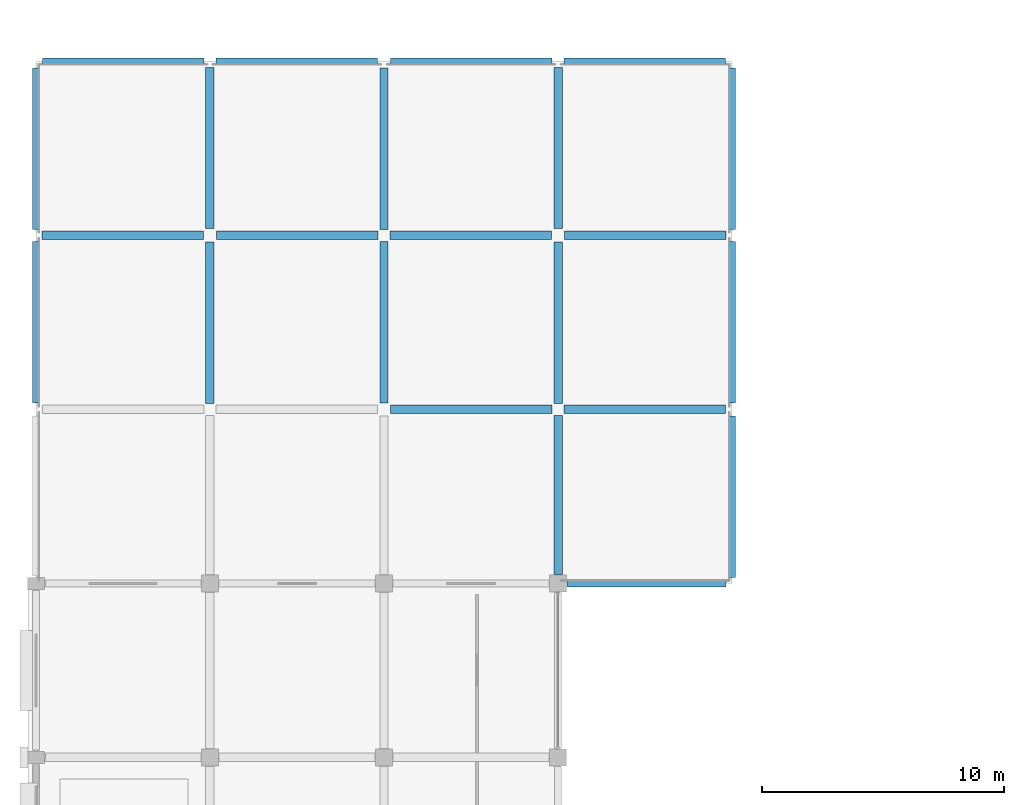
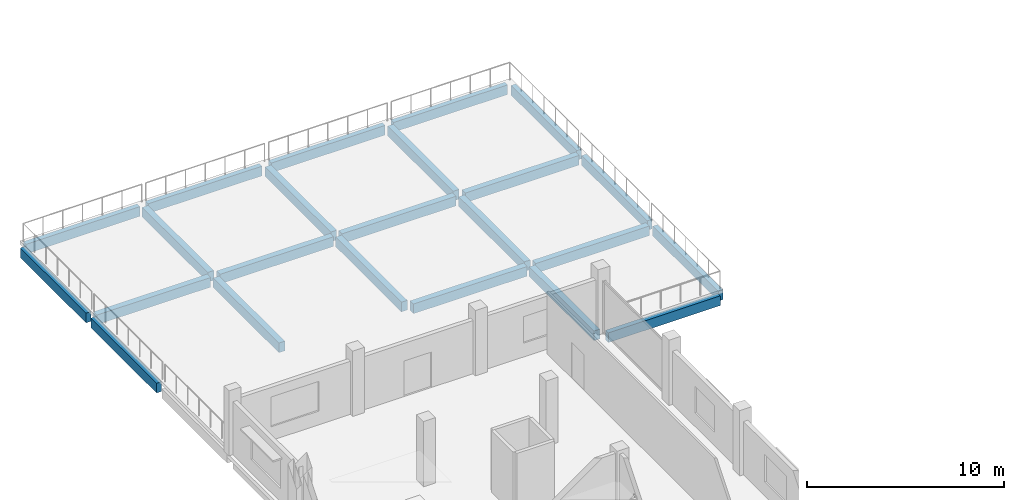
# One storey, part 20 of 77: 23 beams.
"""IFC4 building model written with IfcOpenShell, lengths in metres."""

from ifc_helpers import new_model, si_unit, direction, frame, origin, origin_2d, place, context, subcontext, project, spatial, rectangle, extrude, material, material_profile, profile_set, type_object, element, save


model = new_model("IFC4")

# Units and contexts
model_context = context("Model", 3, precision=1e-05, world=origin(), true_north=direction((0.0, 1.0)))
body_context = subcontext(model_context, "Body", "Model", "MODEL_VIEW")
ifc_project = project(units=[si_unit("LENGTHUNIT", "METRE"), si_unit("AREAUNIT", "SQUARE_METRE"), si_unit("VOLUMEUNIT", "CUBIC_METRE"), si_unit("PLANEANGLEUNIT", "RADIAN"), si_unit("MASSUNIT", "GRAM", prefix="KILO")], contexts=[model_context])

# Site, building, storey
site_placement = place(None, origin())
site = spatial("IfcSite", under=ifc_project, at=site_placement, CompositionType="ELEMENT")
building_placement = place(site_placement, origin())
building = spatial("IfcBuilding", under=site, at=building_placement, Name="Kangsadwip Square Police Headquarters", CompositionType="ELEMENT")
storey_placement = place(building_placement, frame((0.0, 0.0, 17.550048828125)))
storey = spatial("IfcBuildingStorey", under=building, at=storey_placement, Name="L04", CompositionType="ELEMENT", Elevation=17.550048828125)

# Beams
ifc_material_1 = material(Name="Concrete M35 (35 MPa)", Category="concrete")
ifc_material_profile_1 = material_profile(ifc_material_1, rectangle(XDim=0.35009765625, YDim=0.60009765625, at=origin_2d()), Name="RC BM 600X350")
ifc_profile_set_1 = profile_set([ifc_material_profile_1], Name="Concrete M35 (35 MPa)")
beam_type_1 = type_object("IfcBeamType", Name="RcBeam600x350", PredefinedType="BEAM", material=ifc_profile_set_1)
beam_1_placement = place(storey_placement, frame((14.675048828125, 100.800048828125, -0.5400390625), z_axis=(1.0, 0.0, 0.0), x_axis=(0.0, 1.0, 0.0)))
element("IfcBeam", 1, at=beam_1_placement, inside=storey, type_object=beam_type_1, Name="Beam BM-L04-X-02-14", PredefinedType="BEAM", context=body_context, shape_type="SweptSolid", body=[
    extrude(rectangle(XDim=0.35009765625, YDim=0.60009765625, at=origin_2d()), origin(), (0.0, 0.0, 1.0), 6.675048828125),
])
beam_2_placement = place(storey_placement, frame((21.85009765625, 100.800048828125, -0.5400390625), z_axis=(1.0, 0.0, 0.0), x_axis=(0.0, 1.0, 0.0)))
element("IfcBeam", 2, at=beam_2_placement, inside=storey, type_object=beam_type_1, Name="Beam BM-L04-X-03-14", PredefinedType="BEAM", context=body_context, shape_type="SweptSolid", body=[
    extrude(rectangle(XDim=0.35009765625, YDim=0.60009765625, at=origin_2d()), origin(), (0.0, 0.0, 1.0), 6.6748046875),
])
beam_3_placement = place(storey_placement, frame((0.25, 108.0, -0.5400390625), z_axis=(1.0, 0.0, 0.0), x_axis=(0.0, 1.0, 0.0)))
element("IfcBeam", 3, at=beam_3_placement, inside=storey, type_object=beam_type_1, Name="Beam BM-L04-X-00-15", PredefinedType="BEAM", context=body_context, shape_type="SweptSolid", body=[
    extrude(rectangle(XDim=0.35009765625, YDim=0.60009765625, at=origin_2d()), origin(), (0.0, 0.0, 1.0), 6.675048828125),
])
beam_4_placement = place(storey_placement, frame((7.47509765625, 108.0, -0.5400390625), z_axis=(1.0, 0.0, 0.0), x_axis=(0.0, 1.0, 0.0)))
element("IfcBeam", 4, at=beam_4_placement, inside=storey, type_object=beam_type_1, Name="Beam BM-L04-X-01-15", PredefinedType="BEAM", context=body_context, shape_type="SweptSolid", body=[
    extrude(rectangle(XDim=0.35009765625, YDim=0.60009765625, at=origin_2d()), origin(), (0.0, 0.0, 1.0), 6.6748046875),
])
for number, where, z_axis, x_axis, name in (
    (5, (14.64990234375, 108.0, -0.5400390625), (1.0, 0.0, 0.0), (0.0, 1.0, 0.0), "Beam BM-L04-X-02-15"),
    (6, (21.875, 108.0, -0.5400390625), (1.0, 0.0, 0.0), (0.0, 1.0, 0.0), "Beam BM-L04-X-03-15"),
    (7, (7.199951171875, 101.050048828125, -0.5400390625), (0.0, 1.0, 0.0), (-1.0, 0.0, 0.0), "Beam BM-L04-Y-01-14"),
    (8, (7.199951171875, 108.27490234375, -0.5400390625), (0.0, 1.0, 0.0), (-1.0, 0.0, 0.0), "Beam BM-L04-Y-01-15"),
    (9, (14.39990234375, 101.074951171875, -0.5400390625), (0.0, 1.0, 0.0), (-1.0, 0.0, 0.0), "Beam BM-L04-Y-02-14"),
    (10, (14.39990234375, 108.25, -0.5400390625), (0.0, 1.0, 0.0), (-1.0, 0.0, 0.0), "Beam BM-L04-Y-02-15"),
):
    element("IfcBeam", number, at=place(storey_placement, frame(where, z_axis=z_axis, x_axis=x_axis)), inside=storey, type_object=beam_type_1, Name=name, PredefinedType="BEAM", context=body_context, shape_type="SweptSolid", body=[
        extrude(rectangle(XDim=0.35009765625, YDim=0.60009765625, at=origin_2d()), origin(), (0.0, 0.0, 1.0), 6.675048828125),
    ])
beam_5_placement = place(storey_placement, frame((21.60009765625, 93.97509765625, -0.5400390625), z_axis=(0.0, 1.0, 0.0), x_axis=(-1.0, 0.0, 0.0)))
element("IfcBeam", 11, at=beam_5_placement, inside=storey, type_object=beam_type_1, Name="Beam BM-L04-Y-03-13", PredefinedType="BEAM", context=body_context, shape_type="SweptSolid", body=[
    extrude(rectangle(XDim=0.35009765625, YDim=0.60009765625, at=origin_2d()), origin(), (0.0, 0.0, 1.0), 6.574951171875),
])
for number, where, z_axis, x_axis, name in (
    (12, (21.60009765625, 101.050048828125, -0.5400390625), (0.0, 1.0, 0.0), (-1.0, 0.0, 0.0), "Beam BM-L04-Y-03-14"),
    (13, (21.60009765625, 108.27490234375, -0.5400390625), (0.0, 1.0, 0.0), (-1.0, 0.0, 0.0), "Beam BM-L04-Y-03-15"),
):
    element("IfcBeam", number, at=place(storey_placement, frame(where, z_axis=z_axis, x_axis=x_axis)), inside=storey, type_object=beam_type_1, Name=name, PredefinedType="BEAM", context=body_context, shape_type="SweptSolid", body=[
        extrude(rectangle(XDim=0.35009765625, YDim=0.60009765625, at=origin_2d()), origin(), (0.0, 0.0, 1.0), 6.675048828125),
    ])
ifc_material_2 = material(Name="Concrete M40 (40 MPa)", Category="concrete")
ifc_material_profile_2 = material_profile(ifc_material_2, rectangle(XDim=0.280029296875, YDim=0.60009765625, at=origin_2d()), Name="RC SPN 600X280")
ifc_profile_set_2 = profile_set([ifc_material_profile_2], Name="Concrete M40 (40 MPa)")
beam_type_2 = type_object("IfcBeamType", Name="RcSpandrel600x280", PredefinedType="SPANDREL", material=ifc_profile_set_2)
beam_6_placement = place(storey_placement, frame((21.97509765625, 93.60009765625, -0.5400390625), z_axis=(1.0, 0.0, 0.0), x_axis=(0.0, 1.0, 0.0)))
element("IfcBeam", 14, at=beam_6_placement, inside=storey, type_object=beam_type_2, Name="Beam BM-L04-X-03-13", PredefinedType="SPANDREL", context=body_context, shape_type="SweptSolid", body=[
    extrude(rectangle(XDim=0.280029296875, YDim=0.60009765625, at=origin_2d()), origin(), (0.0, 0.0, 1.0), 6.574951171875),
])
for number, where, z_axis, x_axis, name in (
    (15, (0.27490234375, 115.199951171875, -0.5400390625), (1.0, 0.0, 0.0), (0.0, 1.0, 0.0), "Beam BM-L04-X-00-16"),
    (16, (7.449951171875, 115.199951171875, -0.5400390625), (1.0, 0.0, 0.0), (0.0, 1.0, 0.0), "Beam BM-L04-X-01-16"),
    (17, (14.675048828125, 115.199951171875, -0.5400390625), (1.0, 0.0, 0.0), (0.0, 1.0, 0.0), "Beam BM-L04-X-02-16"),
):
    element("IfcBeam", number, at=place(storey_placement, frame(where, z_axis=z_axis, x_axis=x_axis)), inside=storey, type_object=beam_type_2, Name=name, PredefinedType="SPANDREL", context=body_context, shape_type="SweptSolid", body=[
        extrude(rectangle(XDim=0.280029296875, YDim=0.60009765625, at=origin_2d()), origin(), (0.0, 0.0, 1.0), 6.675048828125),
    ])
beam_7_placement = place(storey_placement, frame((21.85009765625, 115.199951171875, -0.5400390625), z_axis=(1.0, 0.0, 0.0), x_axis=(0.0, 1.0, 0.0)))
element("IfcBeam", 18, at=beam_7_placement, inside=storey, type_object=beam_type_2, Name="Beam BM-L04-X-03-16", PredefinedType="SPANDREL", context=body_context, shape_type="SweptSolid", body=[
    extrude(rectangle(XDim=0.280029296875, YDim=0.60009765625, at=origin_2d()), origin(), (0.0, 0.0, 1.0), 6.6748046875),
])
for number, where, z_axis, x_axis, name in (
    (19, (0.0, 101.074951171875, -0.5400390625), (0.0, 1.0, 0.0), (-1.0, 0.0, 0.0), "Beam BM-L04-Y-00-14"),
    (20, (0.0, 108.25, -0.5400390625), (0.0, 1.0, 0.0), (-1.0, 0.0, 0.0), "Beam BM-L04-Y-00-15"),
):
    element("IfcBeam", number, at=place(storey_placement, frame(where, z_axis=z_axis, x_axis=x_axis)), inside=storey, type_object=beam_type_2, Name=name, PredefinedType="SPANDREL", context=body_context, shape_type="SweptSolid", body=[
        extrude(rectangle(XDim=0.280029296875, YDim=0.60009765625, at=origin_2d()), origin(), (0.0, 0.0, 1.0), 6.675048828125),
    ])
beam_8_placement = place(storey_placement, frame((28.800048828125, 93.85009765625, -0.5400390625), z_axis=(0.0, 1.0, 0.0), x_axis=(-1.0, 0.0, 0.0)))
element("IfcBeam", 21, at=beam_8_placement, inside=storey, type_object=beam_type_2, Name="Beam BM-L04-Y-04-13", PredefinedType="SPANDREL", context=body_context, shape_type="SweptSolid", body=[
    extrude(rectangle(XDim=0.280029296875, YDim=0.60009765625, at=origin_2d()), origin(), (0.0, 0.0, 1.0), 6.6748046875),
])
for number, where, z_axis, x_axis, name in (
    (22, (28.800048828125, 101.074951171875, -0.5400390625), (0.0, 1.0, 0.0), (-1.0, 0.0, 0.0), "Beam BM-L04-Y-04-14"),
    (23, (28.800048828125, 108.25, -0.5400390625), (0.0, 1.0, 0.0), (-1.0, 0.0, 0.0), "Beam BM-L04-Y-04-15"),
):
    element("IfcBeam", number, at=place(storey_placement, frame(where, z_axis=z_axis, x_axis=x_axis)), inside=storey, type_object=beam_type_2, Name=name, PredefinedType="SPANDREL", context=body_context, shape_type="SweptSolid", body=[
        extrude(rectangle(XDim=0.280029296875, YDim=0.60009765625, at=origin_2d()), origin(), (0.0, 0.0, 1.0), 6.675048828125),
    ])

save(model, "model.ifc")
